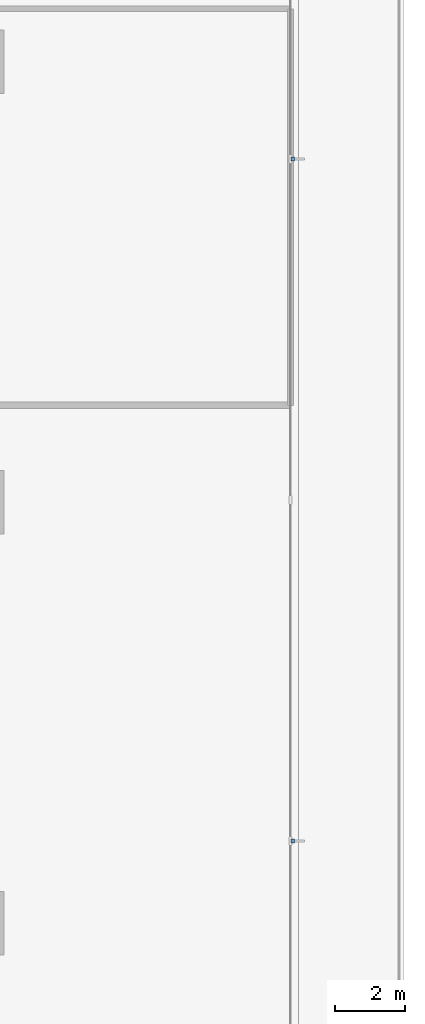
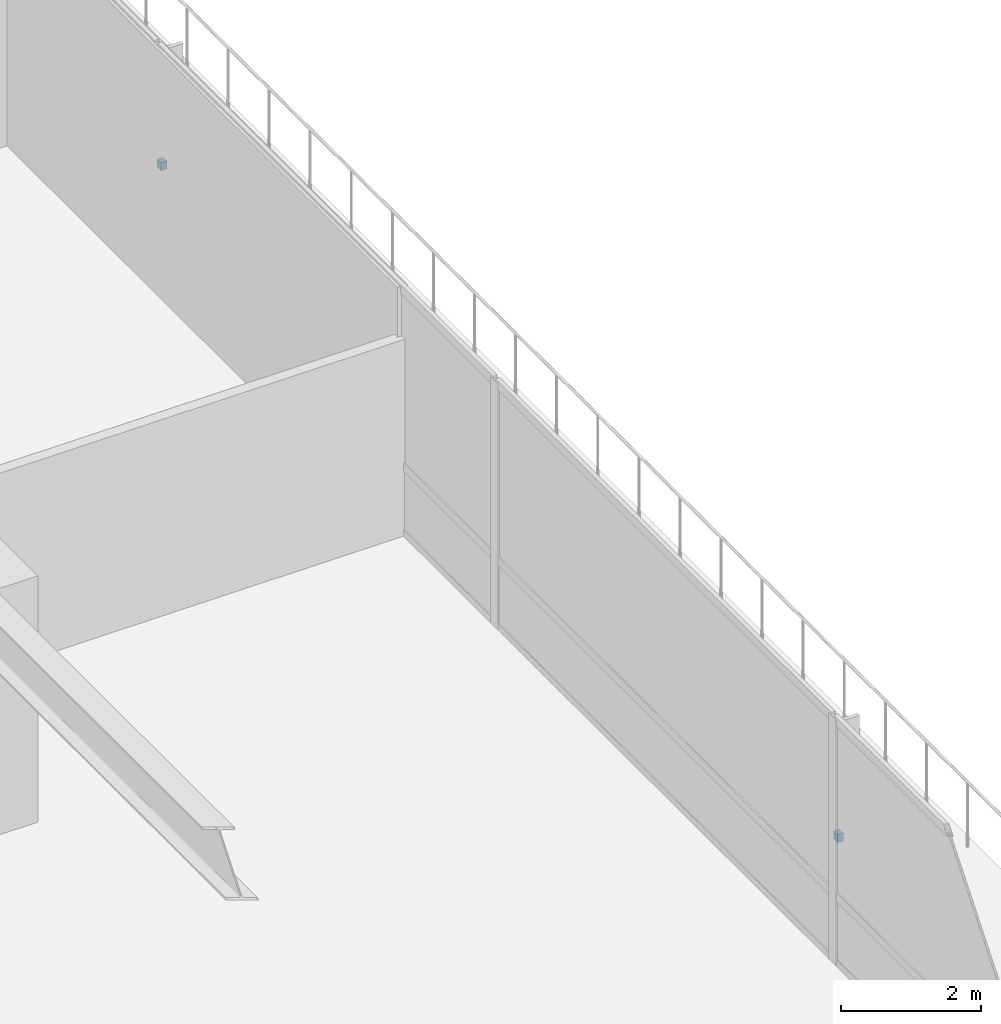
# One storey, part 17 of 24: 2 discrete accessories.
"""IFC4 building model written with IfcOpenShell, lengths in metres."""

from ifc_helpers import new_model, si_unit, direction, frame, origin, place, context, subcontext, project, spatial, polyline, outline, extrude, material, type_object, element, save


model = new_model("IFC4")

# Units and contexts
model_context = context("Model", 3, precision=1e-05, world=origin(), true_north=direction((0.0, 1.0)))
body_context = subcontext(model_context, "Body", "Model", "MODEL_VIEW")
ifc_project = project(units=[si_unit("LENGTHUNIT", "METRE"), si_unit("AREAUNIT", "SQUARE_METRE"), si_unit("VOLUMEUNIT", "CUBIC_METRE"), si_unit("PLANEANGLEUNIT", "RADIAN"), si_unit("MASSUNIT", "GRAM", prefix="KILO")], contexts=[model_context])

# Site, building, storey
site_placement = place(None, origin())
site = spatial("IfcSite", under=ifc_project, at=site_placement, CompositionType="ELEMENT")
building_placement = place(site_placement, origin())
building = spatial("IfcBuilding", under=site, at=building_placement, Name="Qalmaran Belvedere Hotel", CompositionType="ELEMENT")
storey_placement = place(building_placement, frame((0.0, 0.0, 14.60009765625)))
storey = spatial("IfcBuildingStorey", under=building, at=storey_placement, Name="L03", CompositionType="ELEMENT", Elevation=14.60009765625)

# Discrete accessories
ifc_material = material(Name="Stainless Steel 1.4401", Category="steel")
discrete_accessory_type = type_object("IfcDiscreteAccessoryType", Name="BRK-FIN-SS316", PredefinedType="BRACKET", material=ifc_material)
discrete_accessory_1_placement = place(storey_placement, frame((0.0, 0.0, 2.099853515625)))
element("IfcDiscreteAccessory", 1, at=discrete_accessory_1_placement, inside=storey, type_object=discrete_accessory_type, Name="L03 Fin Bracket 1", PredefinedType="BRACKET", context=body_context, shape_type="SweptSolid", body=[
    extrude(outline(polyline([(69.794921875, 10.8369140625), (69.892578125, 10.8369140625), (69.892578125, 10.947021484375), (69.794921875, 10.947021484375), (69.794921875, 10.8369140625)])), origin(), (0.0, 0.0, 1.0), 0.14013671875),
])
discrete_accessory_2_placement = place(storey_placement, frame((0.0, 0.0, 2.099853515625)))
element("IfcDiscreteAccessory", 2, at=discrete_accessory_2_placement, inside=storey, type_object=discrete_accessory_type, Name="L03 Fin Bracket 3", PredefinedType="BRACKET", context=body_context, shape_type="SweptSolid", body=[
    extrude(outline(polyline([(69.794921875, 30.180908203125), (69.892578125, 30.180908203125), (69.892578125, 30.291015625), (69.794921875, 30.291015625), (69.794921875, 30.180908203125)])), origin(), (0.0, 0.0, 1.0), 0.14013671875),
])

save(model, "model.ifc")
